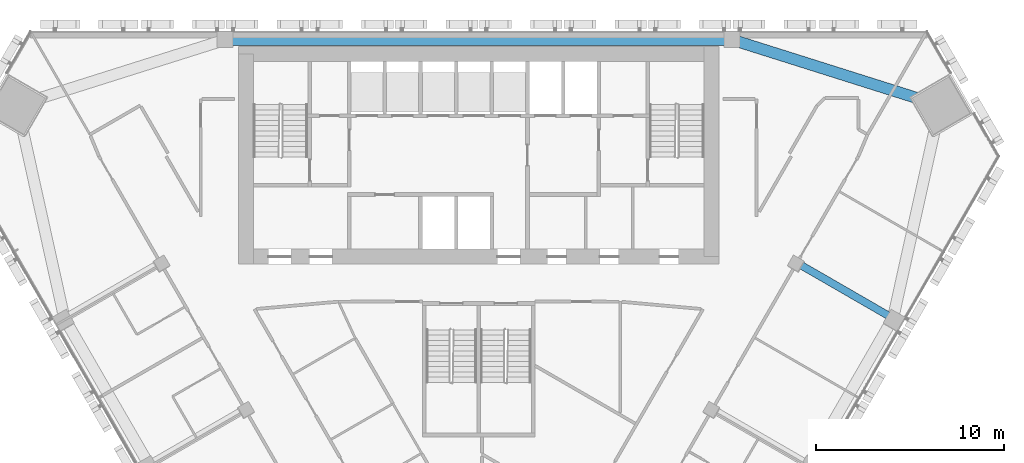
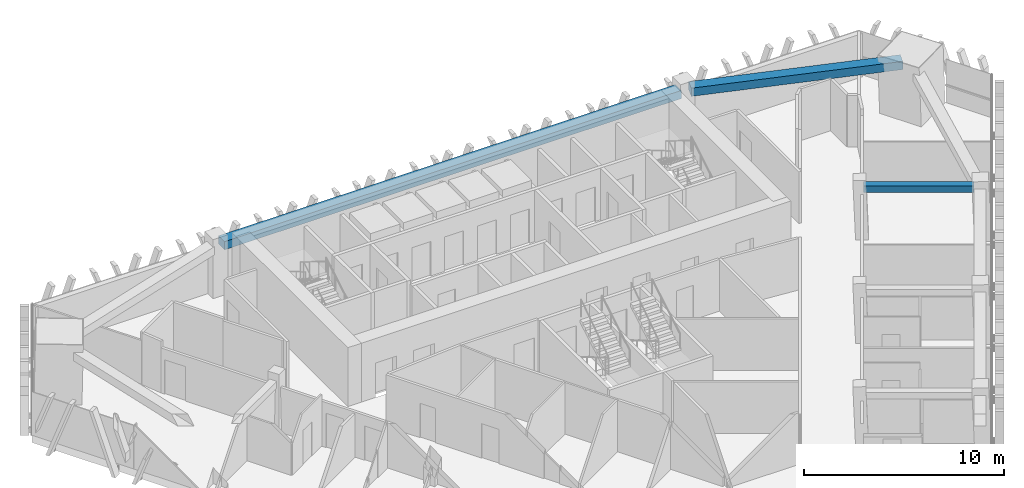
# One storey, part 6 of 16: 3 beams.
"""IFC4 building model written with IfcOpenShell, lengths in metres."""

from ifc_helpers import new_model, si_unit, direction, frame, origin, origin_2d, place, context, subcontext, project, spatial, rectangle, extrude, material, material_profile, profile_set, type_object, element, save


model = new_model("IFC4")

# Units and contexts
model_context = context("Model", 3, precision=1e-05, world=origin(), true_north=direction((0.0, 1.0)))
body_context = subcontext(model_context, "Body", "Model", "MODEL_VIEW")
ifc_project = project(units=[si_unit("LENGTHUNIT", "METRE"), si_unit("AREAUNIT", "SQUARE_METRE"), si_unit("VOLUMEUNIT", "CUBIC_METRE"), si_unit("PLANEANGLEUNIT", "RADIAN"), si_unit("MASSUNIT", "GRAM", prefix="KILO")], contexts=[model_context])

# Site, building, storey
site_placement = place(None, origin())
site = spatial("IfcSite", under=ifc_project, at=site_placement, CompositionType="ELEMENT")
building_placement = place(site_placement, origin())
building = spatial("IfcBuilding", under=site, at=building_placement, Name="Altiplano Prism Tower", CompositionType="ELEMENT")
storey_placement = place(building_placement, frame((0.0, 0.0, 135.0)))
storey = spatial("IfcBuildingStorey", under=building, at=storey_placement, Name="L34", CompositionType="ELEMENT", Elevation=135.0)

# Beams
ifc_material = material(Name="Concrete C60/75", Category="concrete")
ifc_material_profile_1 = material_profile(ifc_material, rectangle(XDim=0.60009765625, YDim=0.5, at=origin_2d()), Name="Edge beam 600x500")
ifc_profile_set_1 = profile_set([ifc_material_profile_1], Name="Concrete C60/75")
beam_type_1 = type_object("IfcBeamType", Name="Edge beam 600x500", PredefinedType="SPANDREL", material=ifc_profile_set_1)
beam_1_placement = place(storey_placement, frame((109.148193359375, 101.1884765625, 2.89990234375), z_axis=(-0.953611592141, 0.301039750423, 0.0), x_axis=(-0.301039750423, -0.953611592141, 0.0)))
element("IfcBeam", 1, at=beam_1_placement, inside=storey, type_object=beam_type_1, Name="Edge beam M2-P01 L35", PredefinedType="SPANDREL", context=body_context, shape_type="SweptSolid", body=[
    extrude(rectangle(XDim=0.60009765625, YDim=0.5, at=origin_2d()), origin(), (0.0, 0.0, 1.0), 10.840576171875),
])
beam_2_placement = place(storey_placement, frame((98.195068359375, 104.550048828125, 2.89990234375), z_axis=(-1.0, 0.0, 0.0), x_axis=(0.0, -1.0, 0.0)))
element("IfcBeam", 2, at=beam_2_placement, inside=storey, type_object=beam_type_1, Name="Edge beam P01-P04 L35", PredefinedType="SPANDREL", context=body_context, shape_type="SweptSolid", body=[
    extrude(rectangle(XDim=0.60009765625, YDim=0.5, at=origin_2d()), origin(), (0.0, 0.0, 1.0), 26.39013671875),
])
ifc_material_profile_2 = material_profile(ifc_material, rectangle(XDim=0.39990234375, YDim=0.39990234375, at=origin_2d()), Name="Tie beam 400x400")
ifc_profile_set_2 = profile_set([ifc_material_profile_2], Name="Concrete C60/75")
beam_type_2 = type_object("IfcBeamType", Name="Tie beam 400x400", PredefinedType="BEAM", material=ifc_profile_set_2)
beam_3_placement = place(storey_placement, frame((102.005126953125, 92.6337890625, 2.949951171875), z_axis=(0.866027073272, -0.499997108352, 0.0), x_axis=(0.499997108352, 0.866027073272, 0.0)))
element("IfcBeam", 3, at=beam_3_placement, inside=storey, type_object=beam_type_2, Name="Tie beam I24 L35", PredefinedType="BEAM", context=body_context, shape_type="SweptSolid", body=[
    extrude(rectangle(XDim=0.39990234375, YDim=0.39990234375, at=origin_2d()), origin(), (0.0, 0.0, 1.0), 5.5400390625),
])

save(model, "model.ifc")
